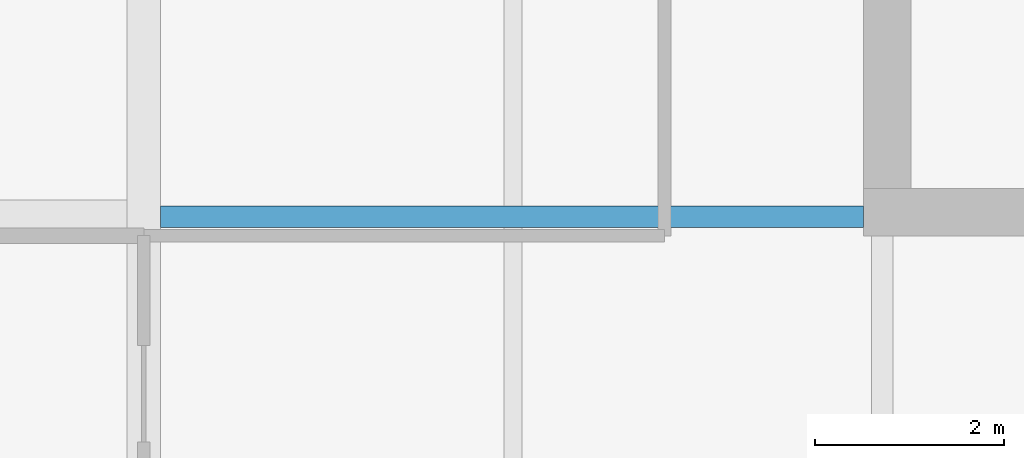
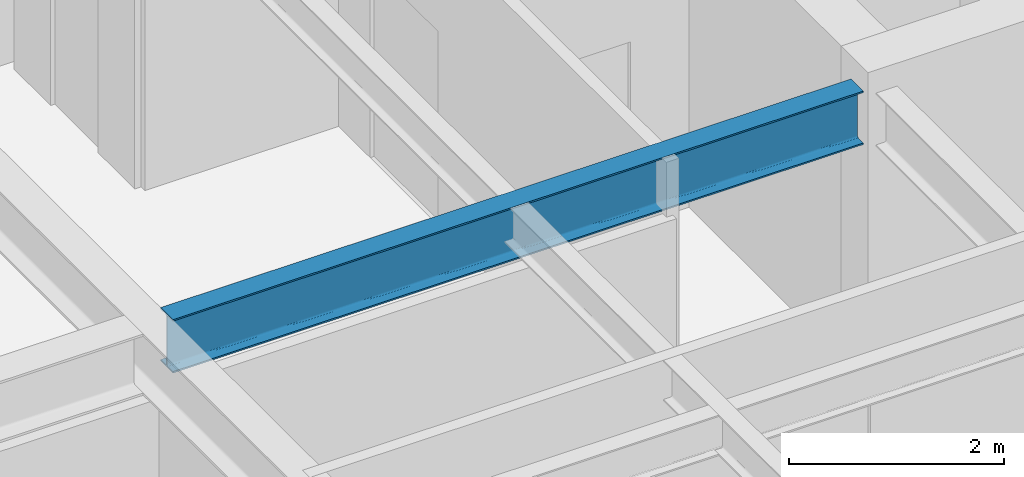
# One storey, part 8 of 33: 1 beam.
"""IFC4 building model written with IfcOpenShell, lengths in metres."""

from ifc_helpers import new_model, si_unit, direction, frame, origin, origin_2d, place, context, subcontext, project, spatial, i_section, extrude, material, material_profile, profile_set, type_object, element, save


model = new_model("IFC4")

# Units and contexts
model_context = context("Model", 3, precision=1e-05, world=origin(), true_north=direction((0.0, 1.0)))
body_context = subcontext(model_context, "Body", "Model", "MODEL_VIEW")
ifc_project = project(units=[si_unit("LENGTHUNIT", "METRE"), si_unit("AREAUNIT", "SQUARE_METRE"), si_unit("VOLUMEUNIT", "CUBIC_METRE"), si_unit("PLANEANGLEUNIT", "RADIAN"), si_unit("MASSUNIT", "GRAM", prefix="KILO")], contexts=[model_context])

# Site, building, storey
site_placement = place(None, origin())
site = spatial("IfcSite", under=ifc_project, at=site_placement, CompositionType="ELEMENT")
building_placement = place(site_placement, origin())
building = spatial("IfcBuilding", under=site, at=building_placement, Name="Drelvath Grand Hotel", CompositionType="ELEMENT")
storey_placement = place(building_placement, frame((0.0, 0.0, 161.050048828125)))
storey = spatial("IfcBuildingStorey", under=building, at=storey_placement, Name="L41", CompositionType="ELEMENT", Elevation=161.050048828125)

# Beam
ifc_material = material(Name="Steel ASTM A992 Gr 50", Category="steel")
ifc_material_profile = material_profile(ifc_material, i_section(OverallWidth=0.228271484375, OverallDepth=0.607666015625, WebThickness=0.01123046875, FlangeThickness=0.017333984375, FilletRadius=0.02001953125, at=origin_2d()), Name="W24X76")
ifc_profile_set = profile_set([ifc_material_profile], Name="Steel ASTM A992 Gr 50")
beam_type = type_object("IfcBeamType", Name="Primary Floor Girder W24X76", PredefinedType="BEAM", material=ifc_profile_set)
beam_placement = place(storey_placement, frame((-16.022705078125, 18.60009765625, 2.986083984375), z_axis=(1.0, 0.0, 0.0), x_axis=(0.0, 1.0, 0.0)))
element("IfcBeam", 1, at=beam_placement, inside=storey, type_object=beam_type, Name="L41 West Core Tie D", PredefinedType="BEAM", context=body_context, shape_type="SweptSolid", body=[
    extrude(i_section(OverallWidth=0.228271484375, OverallDepth=0.607666015625, WebThickness=0.01123046875, FlangeThickness=0.017333984375, FilletRadius=0.02001953125, at=origin_2d()), origin(), (0.0, 0.0, 1.0), 7.422607421875),
])

save(model, "model.ifc")
